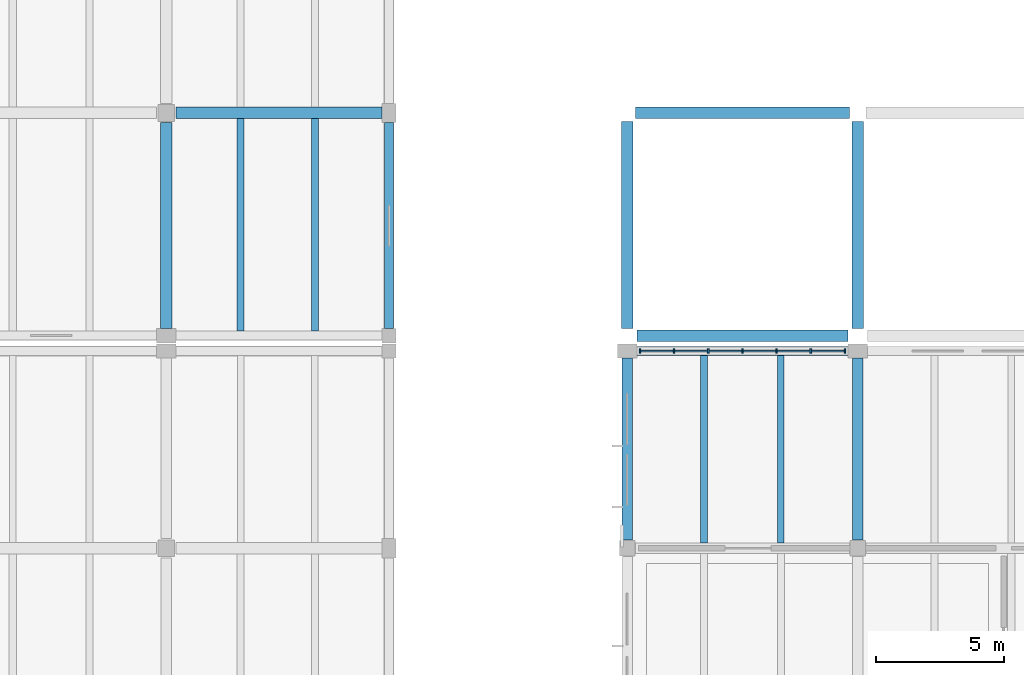
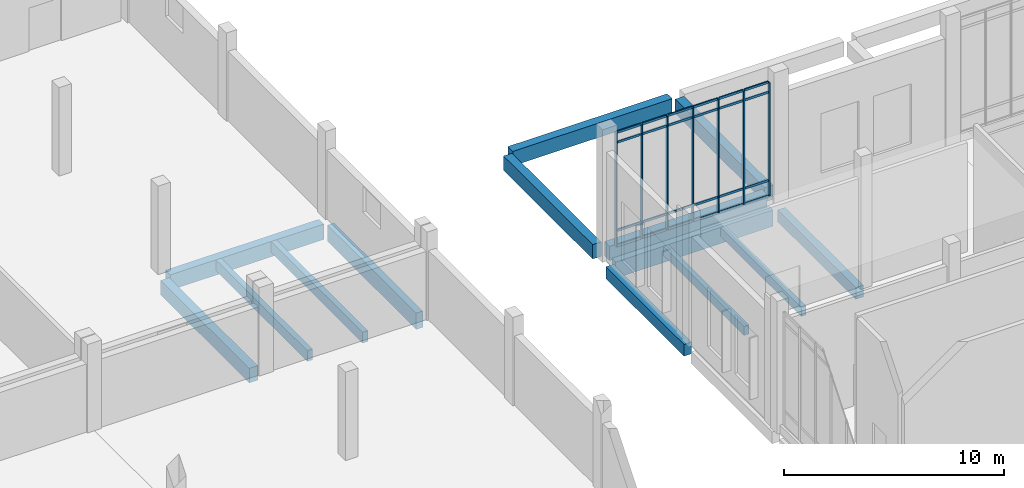
# One storey, part 17 of 110: 31 members, 14 beams, 1 element without a shape of its own.
"""IFC4 building model written with IfcOpenShell, lengths in metres."""

import ifcopenshell
import ifcopenshell.guid

model = None  # the IFC model being written
_history = None  # IfcOwnerHistory: only IFC2X3 demands one
_inside = {}  # id of a spatial element -> (the spatial element, [elements in it])
_under = {}  # id of a project, library or spatial element -> (it, [spatial elements below it])
_declared = {}  # id of a project -> (the project, [libraries it declares])
_typed = {}  # id of a type object -> (the type object, [elements of that type])
_made_of = {}  # id of a material, layer set ... -> (it, [elements and type objects made of it])


def new_model(schema):
    """Start an empty IFC model of exactly this schema.

    Asked for "IFC4X3", IfcOpenShell would pick the latest addendum, in which some entities
    have other attributes; the version numbers below select the first issue.
    IFC2X3 requires an IfcOwnerHistory on every rooted entity: one is made here for all.
    """
    global model, _history
    if schema == "IFC4X3":
        model = ifcopenshell.file(schema_version=(4, 3, 0, 0))
    else:
        model = ifcopenshell.file(schema=schema)
    _inside.clear()
    _under.clear()
    _declared.clear()
    _typed.clear()
    _made_of.clear()
    _history = None
    if model.schema == "IFC2X3":
        org = make("IfcOrganization", Name="unknown")
        user = make(
            "IfcPersonAndOrganization",
            ThePerson=make("IfcPerson", FamilyName="unknown"),
            TheOrganization=org,
        )
        app = make(
            "IfcApplication",
            ApplicationDeveloper=org,
            Version="unknown",
            ApplicationFullName="unknown",
            ApplicationIdentifier="unknown",
        )
        _history = make(
            "IfcOwnerHistory",
            OwningUser=user,
            OwningApplication=app,
            ChangeAction="ADDED",
            CreationDate=0,
        )
    return model


def make(cls, **values):
    """One entity of the class cls with the attributes given. An attribute that is None is left unset."""
    return model.create_entity(
        cls, **{name: value for name, value in values.items() if value is not None}
    )


def rooted(cls, **values):
    """An entity with a GlobalId (a new one), such as an element, a storey or a relation."""
    return make(cls, GlobalId=ifcopenshell.guid.new(), OwnerHistory=_history, **values)


def si_unit(unit_type, name, prefix=None):
    """IfcSIUnit, for example si_unit("LENGTHUNIT", "METRE", prefix="MILLI")."""
    return make("IfcSIUnit", UnitType=unit_type, Prefix=prefix, Name=name)


def assignment(units):
    """IfcUnitAssignment: the units of a project."""
    return None if units is None else make("IfcUnitAssignment", Units=units)


def point(xyz):
    """IfcCartesianPoint."""
    return None if xyz is None else make("IfcCartesianPoint", Coordinates=xyz)


def direction(xyz):
    """IfcDirection."""
    return None if xyz is None else make("IfcDirection", DirectionRatios=xyz)


def frame(location, z_axis=None, x_axis=None):
    """IfcAxis2Placement3D, a coordinate frame: its origin and axes. An axis left out is left unset."""
    return make(
        "IfcAxis2Placement3D",
        Location=point(location),
        Axis=direction(z_axis),
        RefDirection=direction(x_axis),
    )


def frame_2d(location, x_axis=None):
    """IfcAxis2Placement2D, a coordinate frame in the plane: its origin and x axis."""
    return make(
        "IfcAxis2Placement2D", Location=point(location), RefDirection=direction(x_axis)
    )


def origin():
    """The frame at (0, 0, 0) with its axes left unset."""
    return frame((0.0, 0.0, 0.0))


def origin_2d():
    """The frame at (0, 0) in the plane with its x axis left unset."""
    return frame_2d((0.0, 0.0))


def place(relative_to, where):
    """IfcLocalPlacement: puts the frame where relative to a parent placement (None: the world)."""
    return make(
        "IfcLocalPlacement", PlacementRelTo=relative_to, RelativePlacement=where
    )


def context(
    kind, dimensions, precision=None, world=None, true_north=None, identifier=None
):
    """IfcGeometricRepresentationContext, for example the 3D "Model" context."""
    return make(
        "IfcGeometricRepresentationContext",
        ContextIdentifier=identifier,
        ContextType=kind,
        CoordinateSpaceDimension=dimensions,
        Precision=precision,
        WorldCoordinateSystem=world,
        TrueNorth=true_north,
    )


def subcontext(parent, identifier, kind, view, scale=None):
    """IfcGeometricRepresentationSubContext, for example "Body" below "Model"."""
    return make(
        "IfcGeometricRepresentationSubContext",
        ContextIdentifier=identifier,
        ContextType=kind,
        ParentContext=parent,
        TargetScale=scale,
        TargetView=view,
    )


def project(units=None, contexts=None):
    """IfcProject with its units and contexts."""
    return rooted(
        "IfcProject",
        Name="project",
        RepresentationContexts=contexts,
        UnitsInContext=assignment(units),
    )


def spatial(cls, under=None, at=None, **own):
    """A site, building, storey or space (cls), placed at a placement, below another one or the project."""
    s = rooted(cls, ObjectPlacement=at, **own)
    if under is not None:
        _under.setdefault(under.id(), (under, []))[1].append(s)
    return s


def profile(cls, at=None, kind="AREA", **sizes):
    """A parametric profile (cls). Its sizes go by their IFC names, for example OverallWidth=200.0."""
    return make(cls, ProfileType=kind, Position=at, **sizes)


def rectangle(**sizes):
    """IfcRectangleProfileDef."""
    return profile("IfcRectangleProfileDef", **sizes)


def extrude(swept, where, along, depth):
    """IfcExtrudedAreaSolid: the profile swept, set in the frame where, extruded along a direction by depth."""
    return make(
        "IfcExtrudedAreaSolid",
        SweptArea=swept,
        Position=where,
        ExtrudedDirection=direction(along),
        Depth=depth,
    )


def shape(context_of_items, identifier, shape_type, items):
    """IfcShapeRepresentation: the items that make up one representation, for example the "Body"."""
    return make(
        "IfcShapeRepresentation",
        ContextOfItems=context_of_items,
        RepresentationIdentifier=identifier,
        RepresentationType=shape_type,
        Items=items,
    )


def material(Name=None, Category=None):
    """IfcMaterial."""
    return make("IfcMaterial", Name=Name, Category=Category)


def layer(
    of_material, thickness, ventilated=None, Name=None, Category=None, Priority=None
):
    """IfcMaterialLayer: one layer of a wall or slab, of a material (None: an air gap)."""
    return make(
        "IfcMaterialLayer",
        Material=of_material,
        LayerThickness=thickness,
        IsVentilated=ventilated,
        Name=Name,
        Category=Category,
        Priority=Priority,
    )


def layer_set(layers, Name=None):
    """IfcMaterialLayerSet."""
    return make("IfcMaterialLayerSet", MaterialLayers=layers, LayerSetName=Name)


def material_profile(
    of_material, cross_section, Name=None, Category=None, Priority=None
):
    """IfcMaterialProfile: a cross section and its material."""
    return make(
        "IfcMaterialProfile",
        Name=Name,
        Material=of_material,
        Profile=cross_section,
        Priority=Priority,
        Category=Category,
    )


def profile_set(profiles, Name=None, composite=None):
    """IfcMaterialProfileSet."""
    return make(
        "IfcMaterialProfileSet",
        Name=Name,
        MaterialProfiles=profiles,
        CompositeProfile=composite,
    )


def made_of(thing, what):
    """Note that an element or type object is made of a material, layer set ...; save() writes the relation."""
    if what is not None:
        _made_of.setdefault(what.id(), (what, []))[1].append(thing)
    return thing


def type_object(cls, material=None, **own):
    """A type object (cls), such as IfcWallType, which elements share."""
    return made_of(rooted(cls, **own), material)


def element(
    cls,
    number,
    at=None,
    inside=None,
    cuts=None,
    type_object=None,
    material=None,
    context=None,
    identifier="Body",
    shape_type=None,
    held_by="IfcProductDefinitionShape",
    body=None,
    shapes=None,
    **own,
):
    """One element of the class cls, such as IfcWall. Its Tag is "e" and its number.

    at: its placement. inside: the storey or other place that contains it. cuts: it is an
    opening in that element (IfcRelVoidsElement). A single representation is given by context,
    identifier, shape_type and body (its items); several are given by shapes. held_by: the class
    of the entity that holds the representations. save() writes the other relations.
    """
    e = rooted(cls, Tag="e%d" % number, ObjectPlacement=at, **own)
    if body is not None:
        shapes = [shape(context, identifier, shape_type, body)]
    if shapes is not None:
        e.Representation = make(held_by, Representations=shapes)
    if inside is not None:
        _inside.setdefault(inside.id(), (inside, []))[1].append(e)
    if cuts is not None:
        rooted(
            "IfcRelVoidsElement", RelatingBuildingElement=cuts, RelatedOpeningElement=e
        )
    if type_object is not None:
        _typed.setdefault(type_object.id(), (type_object, []))[1].append(e)
    return made_of(e, material)


def aggregate(whole, parts):
    """IfcRelAggregates: a whole, such as a stair, and the parts it consists of."""
    return rooted("IfcRelAggregates", RelatingObject=whole, RelatedObjects=parts)


def save(model, path):
    """Write the relations noted so far, then the file.

    IfcRelAggregates (storeys below a building ...), IfcRelContainedInSpatialStructure (elements
    in a storey), IfcRelDefinesByType, IfcRelAssociatesMaterial and IfcRelDeclares: one each for
    every whole, place, type object, material and project.
    """
    for whole, parts in _under.values():
        aggregate(whole, parts)
    for where, things in _inside.values():
        rooted(
            "IfcRelContainedInSpatialStructure",
            RelatedElements=things,
            RelatingStructure=where,
        )
    for kind, things in _typed.values():
        rooted("IfcRelDefinesByType", RelatedObjects=things, RelatingType=kind)
    for what, things in _made_of.values():
        rooted("IfcRelAssociatesMaterial", RelatedObjects=things, RelatingMaterial=what)
    for by, libraries in _declared.values():
        rooted("IfcRelDeclares", RelatingContext=by, RelatedDefinitions=libraries)
    model.write(path)


model = new_model("IFC4")

# Units and contexts
model_context = context("Model", 3, precision=1e-05, world=origin(), true_north=direction((0.0, 1.0)))
body_context = subcontext(model_context, "Body", "Model", "MODEL_VIEW")
ifc_project = project(units=[si_unit("LENGTHUNIT", "METRE"), si_unit("AREAUNIT", "SQUARE_METRE"), si_unit("VOLUMEUNIT", "CUBIC_METRE"), si_unit("PLANEANGLEUNIT", "RADIAN"), si_unit("MASSUNIT", "GRAM", prefix="KILO")], contexts=[model_context])

# Site, building, storey
site_placement = place(None, origin())
site = spatial("IfcSite", under=ifc_project, at=site_placement, CompositionType="ELEMENT")
building_placement = place(site_placement, origin())
building = spatial("IfcBuilding", under=site, at=building_placement, Name="Zacnel Wholesale Market", CompositionType="ELEMENT")
storey_placement = place(building_placement, frame((0.0, 0.0, 6.300048828125)))
storey = spatial("IfcBuildingStorey", under=building, at=storey_placement, Name="L02", CompositionType="ELEMENT", Elevation=6.300048828125)

# Beams
ifc_material_1 = material(Name="Precast concrete C45/55", Category="concrete")
ifc_material_profile_1 = material_profile(ifc_material_1, rectangle(XDim=0.280029296875, YDim=0.60009765625, at=origin_2d()), Name="DT RIB 280x600")
ifc_profile_set_1 = profile_set([ifc_material_profile_1], Name="Precast concrete C45/55")
beam_type_1 = type_object("IfcBeamType", Name="BM-DT600", PredefinedType="JOIST", material=ifc_profile_set_1)
for number, where, z_axis, x_axis, name in (
    (1, (65.89990234375, 48.47509765625, -0.6201171875), (0.0, 1.0, 0.0), (-1.0, 0.0, 0.0), "Precast secondary joist L02-0195"),
    (2, (68.800048828125, 48.47509765625, -0.6201171875), (0.0, 1.0, 0.0), (-1.0, 0.0, 0.0), "Precast secondary joist L02-0196"),
):
    element("IfcBeam", number, at=place(storey_placement, frame(where, z_axis=z_axis, x_axis=x_axis)), inside=storey, type_object=beam_type_1, Name=name, PredefinedType="JOIST", context=body_context, shape_type="SweptSolid", body=[
        extrude(rectangle(XDim=0.280029296875, YDim=0.60009765625, at=origin_2d()), origin(), (0.0, 0.0, 1.0), 8.2998046875),
    ])
ifc_material_2 = material(Name="Precast concrete C45/55", Category="concrete")
ifc_material_profile_2 = material_profile(ifc_material_2, rectangle(XDim=0.39990234375, YDim=0.64990234375, at=origin_2d()), Name="PG 400x650")
ifc_profile_set_2 = profile_set([ifc_material_profile_2], Name="Precast concrete C45/55")
beam_type_2 = type_object("IfcBeamType", Name="BM-PG650", PredefinedType="BEAM", material=ifc_profile_set_2)
for number, where, z_axis, x_axis, name in (
    (3, (81.0, 40.324951171875, -0.625), (0.0, 1.0, 0.0), (-1.0, 0.0, 0.0), "Precast girder Y-0425"),
    (4, (90.0, 40.324951171875, -0.625), (0.0, 1.0, 0.0), (-1.0, 0.0, 0.0), "Precast girder Y-0432"),
):
    element("IfcBeam", number, at=place(storey_placement, frame(where, z_axis=z_axis, x_axis=x_axis)), inside=storey, type_object=beam_type_2, Name=name, PredefinedType="BEAM", context=body_context, shape_type="SweptSolid", body=[
        extrude(rectangle(XDim=0.39990234375, YDim=0.64990234375, at=origin_2d()), origin(), (0.0, 0.0, 1.0), 7.10009765625),
    ])
ifc_material_3 = material(Name="Precast concrete C45/55", Category="concrete")
ifc_material_profile_3 = material_profile(ifc_material_3, rectangle(XDim=0.449951171875, YDim=0.800048828125, at=origin_2d()), Name="PG 450x800")
ifc_profile_set_3 = profile_set([ifc_material_profile_3], Name="Precast concrete C45/55")
beam_type_3 = type_object("IfcBeamType", Name="BM-PG800", PredefinedType="BEAM", material=ifc_profile_set_3)
beam_1_placement = place(storey_placement, frame((81.375, 48.300048828125, -0.16015625), z_axis=(1.0, 0.0, 0.0), x_axis=(0.0, 1.0, 0.0)))
element("IfcBeam", 5, at=beam_1_placement, inside=storey, type_object=beam_type_3, Name="Precast girder X-0145", PredefinedType="BEAM", context=body_context, shape_type="SweptSolid", body=[
    extrude(rectangle(XDim=0.449951171875, YDim=0.800048828125, at=origin_2d()), origin(), (0.0, 0.0, 1.0), 8.25),
])
beam_2_placement = place(storey_placement, frame((81.324951171875, 57.0, -0.16015625), z_axis=(1.0, 0.0, 0.0), x_axis=(0.0, 1.0, 0.0)))
element("IfcBeam", 6, at=beam_2_placement, inside=storey, type_object=beam_type_3, Name="Precast girder X-0163", PredefinedType="BEAM", context=body_context, shape_type="SweptSolid", body=[
    extrude(rectangle(XDim=0.449951171875, YDim=0.800048828125, at=origin_2d()), origin(), (0.0, 0.0, 1.0), 8.35009765625),
])
beam_3_placement = place(storey_placement, frame((63.0, 48.574951171875, -0.719970703125), z_axis=(0.0, 1.0, 0.0), x_axis=(-1.0, 0.0, 0.0)))
element("IfcBeam", 7, at=beam_3_placement, inside=storey, type_object=beam_type_3, Name="Precast girder Y-0392", PredefinedType="BEAM", context=body_context, shape_type="SweptSolid", body=[
    extrude(rectangle(XDim=0.449951171875, YDim=0.800048828125, at=origin_2d()), origin(), (0.0, 0.0, 1.0), 8.050048828125),
])
for number, where, z_axis, x_axis, name in (
    (8, (81.0, 48.574951171875, -0.16015625), (0.0, 1.0, 0.0), (-1.0, 0.0, 0.0), "Precast girder Y-0426"),
    (9, (90.0, 48.574951171875, -0.16015625), (0.0, 1.0, 0.0), (-1.0, 0.0, 0.0), "Precast girder Y-0433"),
):
    element("IfcBeam", number, at=place(storey_placement, frame(where, z_axis=z_axis, x_axis=x_axis)), inside=storey, type_object=beam_type_3, Name=name, PredefinedType="BEAM", context=body_context, shape_type="SweptSolid", body=[
        extrude(rectangle(XDim=0.449951171875, YDim=0.800048828125, at=origin_2d()), origin(), (0.0, 0.0, 1.0), 8.10009765625),
    ])
ifc_material_4 = material(Name="Precast concrete C45/55", Category="concrete")
ifc_material_profile_4 = material_profile(ifc_material_4, rectangle(XDim=0.449951171875, YDim=0.85009765625, at=origin_2d()), Name="PG 450x850")
ifc_profile_set_4 = profile_set([ifc_material_profile_4], Name="Precast concrete C45/55")
beam_type_4 = type_object("IfcBeamType", Name="BM-PG850", PredefinedType="BEAM", material=ifc_profile_set_4)
beam_4_placement = place(storey_placement, frame((63.375, 57.0, -0.7451171875), z_axis=(1.0, 0.0, 0.0), x_axis=(0.0, 1.0, 0.0)))
element("IfcBeam", 10, at=beam_4_placement, inside=storey, type_object=beam_type_4, Name="Precast girder X-0162", PredefinedType="BEAM", context=body_context, shape_type="SweptSolid", body=[
    extrude(rectangle(XDim=0.449951171875, YDim=0.85009765625, at=origin_2d()), origin(), (0.0, 0.0, 1.0), 8.050048828125),
])
ifc_material_5 = material(Name="Precast concrete C45/55", Category="concrete")
ifc_material_profile_5 = material_profile(ifc_material_5, rectangle(XDim=0.260009765625, YDim=0.5, at=origin_2d()), Name="PJ 260x500")
ifc_profile_set_5 = profile_set([ifc_material_profile_5], Name="Precast concrete C45/55")
beam_type_5 = type_object("IfcBeamType", Name="BM-PJ500", PredefinedType="HOLLOWCORE", material=ifc_profile_set_5)
for number, where, z_axis, x_axis, name in (
    (11, (84.0, 40.199951171875, -0.550048828125), (0.0, 1.0, 0.0), (-1.0, 0.0, 0.0), "Precast secondary joist L02-0161"),
    (12, (87.0, 40.199951171875, -0.550048828125), (0.0, 1.0, 0.0), (-1.0, 0.0, 0.0), "Precast secondary joist L02-0162"),
):
    element("IfcBeam", number, at=place(storey_placement, frame(where, z_axis=z_axis, x_axis=x_axis)), inside=storey, type_object=beam_type_5, Name=name, PredefinedType="HOLLOWCORE", context=body_context, shape_type="SweptSolid", body=[
        extrude(rectangle(XDim=0.260009765625, YDim=0.5, at=origin_2d()), origin(), (0.0, 0.0, 1.0), 7.324951171875),
    ])
ifc_material_6 = material(Name="Precast concrete C45/55", Category="concrete")
ifc_material_profile_6 = material_profile(ifc_material_6, rectangle(XDim=0.35009765625, YDim=0.89990234375, at=origin_2d()), Name="SP 350x900")
ifc_profile_set_6 = profile_set([ifc_material_profile_6], Name="Precast concrete C45/55")
beam_type_6 = type_object("IfcBeamType", Name="BM-SP900", PredefinedType="SPANDREL", material=ifc_profile_set_6)
beam_5_placement = place(storey_placement, frame((81.375, 47.699951171875, -0.75), z_axis=(1.0, 0.0, 0.0), x_axis=(0.0, 1.0, 0.0)))
element("IfcBeam", 13, at=beam_5_placement, inside=storey, type_object=beam_type_6, Name="Precast girder X-0123", PredefinedType="SPANDREL", context=body_context, shape_type="SweptSolid", body=[
    extrude(rectangle(XDim=0.35009765625, YDim=0.89990234375, at=origin_2d()), origin(), (0.0, 0.0, 1.0), 8.25),
])
beam_6_placement = place(storey_placement, frame((71.699951171875, 48.574951171875, -0.77001953125), z_axis=(0.0, 1.0, 0.0), x_axis=(-1.0, 0.0, 0.0)))
element("IfcBeam", 14, at=beam_6_placement, inside=storey, type_object=beam_type_6, Name="Precast girder Y-0407", PredefinedType="SPANDREL", context=body_context, shape_type="SweptSolid", body=[
    extrude(rectangle(XDim=0.35009765625, YDim=0.89990234375, at=origin_2d()), origin(), (0.0, 0.0, 1.0), 8.050048828125),
])

# Curtain wall, members
ifc_material_7 = material(Name="Anodised aluminium", Category="aluminium")
ifc_layer = layer(ifc_material_7, 0.179931640625)
ifc_layer_set = layer_set([ifc_layer], Name="Anodised aluminium")
curtain_wall_type = type_object("IfcCurtainWallType", Name="CW-AUCT-5800", PredefinedType="NOTDEFINED", material=ifc_layer_set)
curtain_wall_placement = place(storey_placement, origin())
curtain_wall = element("IfcCurtainWall", 15, at=curtain_wall_placement, inside=storey, type_object=curtain_wall_type, Name="Curtain wall ENV-R2-CW-L02-010", PredefinedType="NOTDEFINED")
ifc_material_8 = material(Name="Anodised aluminium", Category="aluminium")
ifc_material_profile_7 = material_profile(ifc_material_8, rectangle(XDim=0.06494140625, YDim=0.1650390625, at=origin_2d()), Name="AW-MULLION 65x165")
ifc_profile_set_7 = profile_set([ifc_material_profile_7], Name="Anodised aluminium")
member_type_1 = type_object("IfcMemberType", Name="CWM-MUL-04", PredefinedType="MULLION", material=ifc_profile_set_7)
member_1_placement = place(storey_placement, frame((81.4951171875, 47.699951171875, 0.449951171875), z_axis=(0.0, 0.0, 1.0), x_axis=(1.0, 0.0, 0.0)))
member_1 = element("IfcMember", 16, at=member_1_placement, type_object=member_type_1, Name="ENV-R2-CW-L02-010 mullion 01", PredefinedType="MULLION", context=body_context, shape_type="SweptSolid", body=[
    extrude(rectangle(XDim=0.06494140625, YDim=0.1650390625, at=origin_2d()), origin(), (0.0, 0.0, 1.0), 6.2900390625),
])
member_2_placement = place(storey_placement, frame((82.830078125, 47.699951171875, 0.449951171875), z_axis=(0.0, 0.0, 1.0), x_axis=(1.0, 0.0, 0.0)))
member_2 = element("IfcMember", 17, at=member_2_placement, type_object=member_type_1, Name="ENV-R2-CW-L02-010 mullion 02", PredefinedType="MULLION", context=body_context, shape_type="SweptSolid", body=[
    extrude(rectangle(XDim=0.06494140625, YDim=0.1650390625, at=origin_2d()), origin(), (0.0, 0.0, 1.0), 6.2900390625),
])
member_3_placement = place(storey_placement, frame((84.1650390625, 47.699951171875, 0.449951171875), z_axis=(0.0, 0.0, 1.0), x_axis=(1.0, 0.0, 0.0)))
member_3 = element("IfcMember", 18, at=member_3_placement, type_object=member_type_1, Name="ENV-R2-CW-L02-010 mullion 03", PredefinedType="MULLION", context=body_context, shape_type="SweptSolid", body=[
    extrude(rectangle(XDim=0.06494140625, YDim=0.1650390625, at=origin_2d()), origin(), (0.0, 0.0, 1.0), 6.2900390625),
])
member_4_placement = place(storey_placement, frame((85.5, 47.699951171875, 0.449951171875), z_axis=(0.0, 0.0, 1.0), x_axis=(1.0, 0.0, 0.0)))
member_4 = element("IfcMember", 19, at=member_4_placement, type_object=member_type_1, Name="ENV-R2-CW-L02-010 mullion 04", PredefinedType="MULLION", context=body_context, shape_type="SweptSolid", body=[
    extrude(rectangle(XDim=0.06494140625, YDim=0.1650390625, at=origin_2d()), origin(), (0.0, 0.0, 1.0), 6.2900390625),
])
member_5_placement = place(storey_placement, frame((86.8349609375, 47.699951171875, 0.449951171875), z_axis=(0.0, 0.0, 1.0), x_axis=(1.0, 0.0, 0.0)))
member_5 = element("IfcMember", 20, at=member_5_placement, type_object=member_type_1, Name="ENV-R2-CW-L02-010 mullion 05", PredefinedType="MULLION", context=body_context, shape_type="SweptSolid", body=[
    extrude(rectangle(XDim=0.06494140625, YDim=0.1650390625, at=origin_2d()), origin(), (0.0, 0.0, 1.0), 6.2900390625),
])
member_6_placement = place(storey_placement, frame((88.169921875, 47.699951171875, 0.449951171875), z_axis=(0.0, 0.0, 1.0), x_axis=(1.0, 0.0, 0.0)))
member_6 = element("IfcMember", 21, at=member_6_placement, type_object=member_type_1, Name="ENV-R2-CW-L02-010 mullion 06", PredefinedType="MULLION", context=body_context, shape_type="SweptSolid", body=[
    extrude(rectangle(XDim=0.06494140625, YDim=0.1650390625, at=origin_2d()), origin(), (0.0, 0.0, 1.0), 6.2900390625),
])
member_7_placement = place(storey_placement, frame((89.5048828125, 47.699951171875, 0.449951171875), z_axis=(0.0, 0.0, 1.0), x_axis=(1.0, 0.0, 0.0)))
member_7 = element("IfcMember", 22, at=member_7_placement, type_object=member_type_1, Name="ENV-R2-CW-L02-010 mullion 07", PredefinedType="MULLION", context=body_context, shape_type="SweptSolid", body=[
    extrude(rectangle(XDim=0.06494140625, YDim=0.1650390625, at=origin_2d()), origin(), (0.0, 0.0, 1.0), 6.2900390625),
])
ifc_material_9 = material(Name="Anodised aluminium", Category="aluminium")
ifc_material_profile_8 = material_profile(ifc_material_9, rectangle(XDim=0.06494140625, YDim=0.125, at=origin_2d()), Name="AW-TRANSOM 65x125")
ifc_profile_set_8 = profile_set([ifc_material_profile_8], Name="Anodised aluminium")
member_type_2 = type_object("IfcMemberType", Name="CWM-TRN-04", PredefinedType="USERDEFINED", material=ifc_profile_set_8)
member_8_placement = place(storey_placement, frame((81.530029296875, 47.699951171875, 0.449951171875), z_axis=(1.0, 0.0, 0.0), x_axis=(0.0, 1.0, 0.0)))
member_8 = element("IfcMember", 23, at=member_8_placement, type_object=member_type_2, Name="ENV-R2-CW-L02-010 transom 1-1", ObjectType="TRANSOM", PredefinedType="USERDEFINED", context=body_context, shape_type="SweptSolid", body=[
    extrude(rectangle(XDim=0.06494140625, YDim=0.125, at=origin_2d()), origin(), (0.0, 0.0, 1.0), 1.264892578125),
])
member_9_placement = place(storey_placement, frame((81.530029296875, 47.699951171875, 1.300048828125), z_axis=(1.0, 0.0, 0.0), x_axis=(0.0, 1.0, 0.0)))
member_9 = element("IfcMember", 24, at=member_9_placement, type_object=member_type_2, Name="ENV-R2-CW-L02-010 transom 1-2", ObjectType="TRANSOM", PredefinedType="USERDEFINED", context=body_context, shape_type="SweptSolid", body=[
    extrude(rectangle(XDim=0.06494140625, YDim=0.125, at=origin_2d()), origin(), (0.0, 0.0, 1.0), 1.264892578125),
])
member_10_placement = place(storey_placement, frame((81.530029296875, 47.699951171875, 6.18994140625), z_axis=(1.0, 0.0, 0.0), x_axis=(0.0, 1.0, 0.0)))
member_10 = element("IfcMember", 25, at=member_10_placement, type_object=member_type_2, Name="ENV-R2-CW-L02-010 transom 1-3", ObjectType="TRANSOM", PredefinedType="USERDEFINED", context=body_context, shape_type="SweptSolid", body=[
    extrude(rectangle(XDim=0.06494140625, YDim=0.125, at=origin_2d()), origin(), (0.0, 0.0, 1.0), 1.264892578125),
])
member_11_placement = place(storey_placement, frame((81.530029296875, 47.699951171875, 6.739990234375), z_axis=(1.0, 0.0, 0.0), x_axis=(0.0, 1.0, 0.0)))
member_11 = element("IfcMember", 26, at=member_11_placement, type_object=member_type_2, Name="ENV-R2-CW-L02-010 transom 1-4", ObjectType="TRANSOM", PredefinedType="USERDEFINED", context=body_context, shape_type="SweptSolid", body=[
    extrude(rectangle(XDim=0.06494140625, YDim=0.125, at=origin_2d()), origin(), (0.0, 0.0, 1.0), 1.264892578125),
])
member_12_placement = place(storey_placement, frame((82.864990234375, 47.699951171875, 0.449951171875), z_axis=(1.0, 0.0, 0.0), x_axis=(0.0, 1.0, 0.0)))
member_12 = element("IfcMember", 27, at=member_12_placement, type_object=member_type_2, Name="ENV-R2-CW-L02-010 transom 2-1", ObjectType="TRANSOM", PredefinedType="USERDEFINED", context=body_context, shape_type="SweptSolid", body=[
    extrude(rectangle(XDim=0.06494140625, YDim=0.125, at=origin_2d()), origin(), (0.0, 0.0, 1.0), 1.264892578125),
])
member_13_placement = place(storey_placement, frame((82.864990234375, 47.699951171875, 1.300048828125), z_axis=(1.0, 0.0, 0.0), x_axis=(0.0, 1.0, 0.0)))
member_13 = element("IfcMember", 28, at=member_13_placement, type_object=member_type_2, Name="ENV-R2-CW-L02-010 transom 2-2", ObjectType="TRANSOM", PredefinedType="USERDEFINED", context=body_context, shape_type="SweptSolid", body=[
    extrude(rectangle(XDim=0.06494140625, YDim=0.125, at=origin_2d()), origin(), (0.0, 0.0, 1.0), 1.264892578125),
])
member_14_placement = place(storey_placement, frame((82.864990234375, 47.699951171875, 6.18994140625), z_axis=(1.0, 0.0, 0.0), x_axis=(0.0, 1.0, 0.0)))
member_14 = element("IfcMember", 29, at=member_14_placement, type_object=member_type_2, Name="ENV-R2-CW-L02-010 transom 2-3", ObjectType="TRANSOM", PredefinedType="USERDEFINED", context=body_context, shape_type="SweptSolid", body=[
    extrude(rectangle(XDim=0.06494140625, YDim=0.125, at=origin_2d()), origin(), (0.0, 0.0, 1.0), 1.264892578125),
])
member_15_placement = place(storey_placement, frame((82.864990234375, 47.699951171875, 6.739990234375), z_axis=(1.0, 0.0, 0.0), x_axis=(0.0, 1.0, 0.0)))
member_15 = element("IfcMember", 30, at=member_15_placement, type_object=member_type_2, Name="ENV-R2-CW-L02-010 transom 2-4", ObjectType="TRANSOM", PredefinedType="USERDEFINED", context=body_context, shape_type="SweptSolid", body=[
    extrude(rectangle(XDim=0.06494140625, YDim=0.125, at=origin_2d()), origin(), (0.0, 0.0, 1.0), 1.264892578125),
])
member_16_placement = place(storey_placement, frame((84.199951171875, 47.699951171875, 0.449951171875), z_axis=(1.0, 0.0, 0.0), x_axis=(0.0, 1.0, 0.0)))
member_16 = element("IfcMember", 31, at=member_16_placement, type_object=member_type_2, Name="ENV-R2-CW-L02-010 transom 3-1", ObjectType="TRANSOM", PredefinedType="USERDEFINED", context=body_context, shape_type="SweptSolid", body=[
    extrude(rectangle(XDim=0.06494140625, YDim=0.125, at=origin_2d()), origin(), (0.0, 0.0, 1.0), 1.26513671875),
])
member_17_placement = place(storey_placement, frame((84.199951171875, 47.699951171875, 1.300048828125), z_axis=(1.0, 0.0, 0.0), x_axis=(0.0, 1.0, 0.0)))
member_17 = element("IfcMember", 32, at=member_17_placement, type_object=member_type_2, Name="ENV-R2-CW-L02-010 transom 3-2", ObjectType="TRANSOM", PredefinedType="USERDEFINED", context=body_context, shape_type="SweptSolid", body=[
    extrude(rectangle(XDim=0.06494140625, YDim=0.125, at=origin_2d()), origin(), (0.0, 0.0, 1.0), 1.26513671875),
])
member_18_placement = place(storey_placement, frame((84.199951171875, 47.699951171875, 6.18994140625), z_axis=(1.0, 0.0, 0.0), x_axis=(0.0, 1.0, 0.0)))
member_18 = element("IfcMember", 33, at=member_18_placement, type_object=member_type_2, Name="ENV-R2-CW-L02-010 transom 3-3", ObjectType="TRANSOM", PredefinedType="USERDEFINED", context=body_context, shape_type="SweptSolid", body=[
    extrude(rectangle(XDim=0.06494140625, YDim=0.125, at=origin_2d()), origin(), (0.0, 0.0, 1.0), 1.26513671875),
])
member_19_placement = place(storey_placement, frame((84.199951171875, 47.699951171875, 6.739990234375), z_axis=(1.0, 0.0, 0.0), x_axis=(0.0, 1.0, 0.0)))
member_19 = element("IfcMember", 34, at=member_19_placement, type_object=member_type_2, Name="ENV-R2-CW-L02-010 transom 3-4", ObjectType="TRANSOM", PredefinedType="USERDEFINED", context=body_context, shape_type="SweptSolid", body=[
    extrude(rectangle(XDim=0.06494140625, YDim=0.125, at=origin_2d()), origin(), (0.0, 0.0, 1.0), 1.26513671875),
])
member_20_placement = place(storey_placement, frame((85.534912109375, 47.699951171875, 0.449951171875), z_axis=(1.0, 0.0, 0.0), x_axis=(0.0, 1.0, 0.0)))
member_20 = element("IfcMember", 35, at=member_20_placement, type_object=member_type_2, Name="ENV-R2-CW-L02-010 transom 4-1", ObjectType="TRANSOM", PredefinedType="USERDEFINED", context=body_context, shape_type="SweptSolid", body=[
    extrude(rectangle(XDim=0.06494140625, YDim=0.125, at=origin_2d()), origin(), (0.0, 0.0, 1.0), 1.26513671875),
])
member_21_placement = place(storey_placement, frame((85.534912109375, 47.699951171875, 1.300048828125), z_axis=(1.0, 0.0, 0.0), x_axis=(0.0, 1.0, 0.0)))
member_21 = element("IfcMember", 36, at=member_21_placement, type_object=member_type_2, Name="ENV-R2-CW-L02-010 transom 4-2", ObjectType="TRANSOM", PredefinedType="USERDEFINED", context=body_context, shape_type="SweptSolid", body=[
    extrude(rectangle(XDim=0.06494140625, YDim=0.125, at=origin_2d()), origin(), (0.0, 0.0, 1.0), 1.26513671875),
])
member_22_placement = place(storey_placement, frame((85.534912109375, 47.699951171875, 6.18994140625), z_axis=(1.0, 0.0, 0.0), x_axis=(0.0, 1.0, 0.0)))
member_22 = element("IfcMember", 37, at=member_22_placement, type_object=member_type_2, Name="ENV-R2-CW-L02-010 transom 4-3", ObjectType="TRANSOM", PredefinedType="USERDEFINED", context=body_context, shape_type="SweptSolid", body=[
    extrude(rectangle(XDim=0.06494140625, YDim=0.125, at=origin_2d()), origin(), (0.0, 0.0, 1.0), 1.26513671875),
])
member_23_placement = place(storey_placement, frame((85.534912109375, 47.699951171875, 6.739990234375), z_axis=(1.0, 0.0, 0.0), x_axis=(0.0, 1.0, 0.0)))
member_23 = element("IfcMember", 38, at=member_23_placement, type_object=member_type_2, Name="ENV-R2-CW-L02-010 transom 4-4", ObjectType="TRANSOM", PredefinedType="USERDEFINED", context=body_context, shape_type="SweptSolid", body=[
    extrude(rectangle(XDim=0.06494140625, YDim=0.125, at=origin_2d()), origin(), (0.0, 0.0, 1.0), 1.26513671875),
])
member_24_placement = place(storey_placement, frame((86.8701171875, 47.699951171875, 0.449951171875), z_axis=(1.0, 0.0, 0.0), x_axis=(0.0, 1.0, 0.0)))
member_24 = element("IfcMember", 39, at=member_24_placement, type_object=member_type_2, Name="ENV-R2-CW-L02-010 transom 5-1", ObjectType="TRANSOM", PredefinedType="USERDEFINED", context=body_context, shape_type="SweptSolid", body=[
    extrude(rectangle(XDim=0.06494140625, YDim=0.125, at=origin_2d()), origin(), (0.0, 0.0, 1.0), 1.264892578125),
])
member_25_placement = place(storey_placement, frame((86.8701171875, 47.699951171875, 1.300048828125), z_axis=(1.0, 0.0, 0.0), x_axis=(0.0, 1.0, 0.0)))
member_25 = element("IfcMember", 40, at=member_25_placement, type_object=member_type_2, Name="ENV-R2-CW-L02-010 transom 5-2", ObjectType="TRANSOM", PredefinedType="USERDEFINED", context=body_context, shape_type="SweptSolid", body=[
    extrude(rectangle(XDim=0.06494140625, YDim=0.125, at=origin_2d()), origin(), (0.0, 0.0, 1.0), 1.264892578125),
])
member_26_placement = place(storey_placement, frame((86.8701171875, 47.699951171875, 6.18994140625), z_axis=(1.0, 0.0, 0.0), x_axis=(0.0, 1.0, 0.0)))
member_26 = element("IfcMember", 41, at=member_26_placement, type_object=member_type_2, Name="ENV-R2-CW-L02-010 transom 5-3", ObjectType="TRANSOM", PredefinedType="USERDEFINED", context=body_context, shape_type="SweptSolid", body=[
    extrude(rectangle(XDim=0.06494140625, YDim=0.125, at=origin_2d()), origin(), (0.0, 0.0, 1.0), 1.264892578125),
])
member_27_placement = place(storey_placement, frame((86.8701171875, 47.699951171875, 6.739990234375), z_axis=(1.0, 0.0, 0.0), x_axis=(0.0, 1.0, 0.0)))
member_27 = element("IfcMember", 42, at=member_27_placement, type_object=member_type_2, Name="ENV-R2-CW-L02-010 transom 5-4", ObjectType="TRANSOM", PredefinedType="USERDEFINED", context=body_context, shape_type="SweptSolid", body=[
    extrude(rectangle(XDim=0.06494140625, YDim=0.125, at=origin_2d()), origin(), (0.0, 0.0, 1.0), 1.264892578125),
])
member_28_placement = place(storey_placement, frame((88.205078125, 47.699951171875, 0.449951171875), z_axis=(1.0, 0.0, 0.0), x_axis=(0.0, 1.0, 0.0)))
member_28 = element("IfcMember", 43, at=member_28_placement, type_object=member_type_2, Name="ENV-R2-CW-L02-010 transom 6-1", ObjectType="TRANSOM", PredefinedType="USERDEFINED", context=body_context, shape_type="SweptSolid", body=[
    extrude(rectangle(XDim=0.06494140625, YDim=0.125, at=origin_2d()), origin(), (0.0, 0.0, 1.0), 1.264892578125),
])
member_29_placement = place(storey_placement, frame((88.205078125, 47.699951171875, 1.300048828125), z_axis=(1.0, 0.0, 0.0), x_axis=(0.0, 1.0, 0.0)))
member_29 = element("IfcMember", 44, at=member_29_placement, type_object=member_type_2, Name="ENV-R2-CW-L02-010 transom 6-2", ObjectType="TRANSOM", PredefinedType="USERDEFINED", context=body_context, shape_type="SweptSolid", body=[
    extrude(rectangle(XDim=0.06494140625, YDim=0.125, at=origin_2d()), origin(), (0.0, 0.0, 1.0), 1.264892578125),
])
member_30_placement = place(storey_placement, frame((88.205078125, 47.699951171875, 6.18994140625), z_axis=(1.0, 0.0, 0.0), x_axis=(0.0, 1.0, 0.0)))
member_30 = element("IfcMember", 45, at=member_30_placement, type_object=member_type_2, Name="ENV-R2-CW-L02-010 transom 6-3", ObjectType="TRANSOM", PredefinedType="USERDEFINED", context=body_context, shape_type="SweptSolid", body=[
    extrude(rectangle(XDim=0.06494140625, YDim=0.125, at=origin_2d()), origin(), (0.0, 0.0, 1.0), 1.264892578125),
])
member_31_placement = place(storey_placement, frame((88.205078125, 47.699951171875, 6.739990234375), z_axis=(1.0, 0.0, 0.0), x_axis=(0.0, 1.0, 0.0)))
member_31 = element("IfcMember", 46, at=member_31_placement, type_object=member_type_2, Name="ENV-R2-CW-L02-010 transom 6-4", ObjectType="TRANSOM", PredefinedType="USERDEFINED", context=body_context, shape_type="SweptSolid", body=[
    extrude(rectangle(XDim=0.06494140625, YDim=0.125, at=origin_2d()), origin(), (0.0, 0.0, 1.0), 1.264892578125),
])
aggregate(curtain_wall, [member_1, member_2, member_3, member_4, member_5, member_6, member_7, member_8, member_9, member_10, member_11, member_12, member_13, member_14, member_15, member_16, member_17, member_18, member_19, member_20, member_21, member_22, member_23, member_24, member_25, member_26, member_27, member_28, member_29, member_30, member_31])

save(model, "model.ifc")
